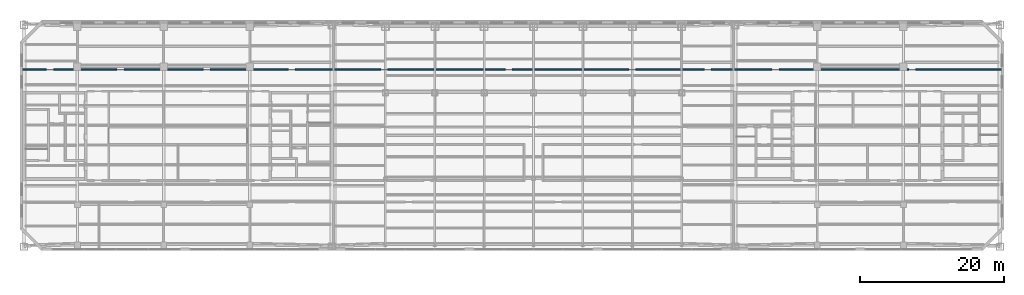
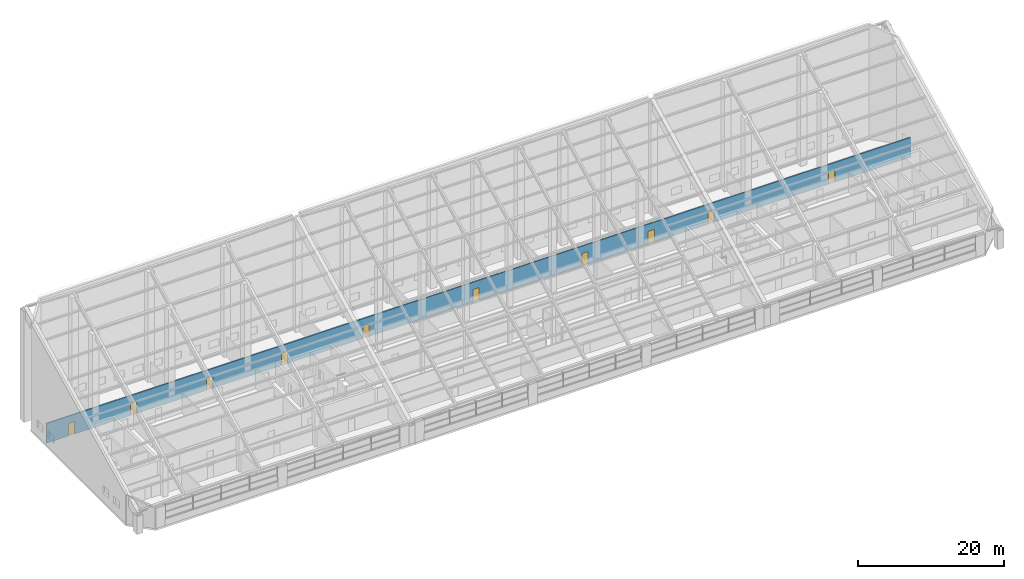
# One storey, part 24 of 28: 10 doors, 1 wall, 10 openings.
"""IFC4 building model written with IfcOpenShell, lengths in metres."""

from ifc_helpers import new_model, si_unit, direction, frame, frame_2d, origin, place, context, subcontext, project, spatial, rectangle, extrude, material, layer, layer_set, type_object, element, fill, save


model = new_model("IFC4")

# Units and contexts
model_context = context("Model", 3, precision=1e-05, world=origin(), true_north=direction((0.0, 1.0)))
body_context = subcontext(model_context, "Body", "Model", "MODEL_VIEW")
ifc_project = project(units=[si_unit("LENGTHUNIT", "METRE"), si_unit("AREAUNIT", "SQUARE_METRE"), si_unit("VOLUMEUNIT", "CUBIC_METRE"), si_unit("PLANEANGLEUNIT", "RADIAN"), si_unit("MASSUNIT", "GRAM", prefix="KILO")], contexts=[model_context])

# Site, building, storey
site_placement = place(None, origin())
site = spatial("IfcSite", under=ifc_project, at=site_placement, CompositionType="ELEMENT")
building_placement = place(site_placement, origin())
building = spatial("IfcBuilding", under=site, at=building_placement, Name="Tuart Gate Housing", CompositionType="ELEMENT")
storey_placement = place(building_placement, frame((0.0, 0.0, 243.89990234375)))
storey = spatial("IfcBuildingStorey", under=building, at=storey_placement, Name="L68", CompositionType="ELEMENT", Elevation=243.89990234375)

# Wall, openings, doors
ifc_material_1 = material(Name="Concrete masonry 15 MPa", Category="masonry")
ifc_layer = layer(ifc_material_1, 0.199951171875)
ifc_layer_set = layer_set([ifc_layer], Name="Enclosure wall masonry 200")
wall_type = type_object("IfcWallType", Name="Enclosure wall masonry 200", PredefinedType="PARTITIONING", material=ifc_layer_set)
wall_placement = place(storey_placement, frame((32.239990234375, 79.199951171875, 0.0), z_axis=(0.0, 0.0, 1.0), x_axis=(1.0, 0.0, 0.0)))
wall = element("IfcWall", 1, at=wall_placement, inside=storey, type_object=wall_type, Name="Enclosure wall masonry 200", PredefinedType="PARTITIONING", context=body_context, shape_type="SweptSolid", body=[
    extrude(rectangle(XDim=136.52001953125, YDim=0.199951171875, at=frame_2d((68.260009765625, 0.0))), origin(), (0.0, 0.0, 1.0), 3.300048828125),
])
opening_1_placement = place(wall_placement, frame((3.43994140625, 0.0, 0.0)))
opening_1 = element("IfcOpeningElement", 2, at=opening_1_placement, cuts=wall, Name="Opening D3265", PredefinedType="OPENING", context=body_context, shape_type="SweptSolid", body=[
    extrude(rectangle(XDim=1.0, YDim=2.10009765625, at=frame_2d((0.5, 1.050048828125))), frame((0.0, 0.10986328125, 0.0), z_axis=(0.0, -1.0, 0.0), x_axis=(1.0, 0.0, 0.0)), (0.0, 0.0, 1.0), 0.219970703125),
])
opening_2_placement = place(wall_placement, frame((13.260009765625, 0.0, 0.0)))
opening_2 = element("IfcOpeningElement", 3, at=opening_2_placement, cuts=wall, Name="Opening D3266", PredefinedType="OPENING", context=body_context, shape_type="SweptSolid", body=[
    extrude(rectangle(XDim=1.0, YDim=2.10009765625, at=frame_2d((0.5, 1.050048828125))), frame((0.0, 0.10986328125, 0.0), z_axis=(0.0, -1.0, 0.0), x_axis=(1.0, 0.0, 0.0)), (0.0, 0.0, 1.0), 0.219970703125),
])
opening_3_placement = place(wall_placement, frame((25.260009765625, 0.0, 0.0)))
opening_3 = element("IfcOpeningElement", 4, at=opening_3_placement, cuts=wall, Name="Opening D3267", PredefinedType="OPENING", context=body_context, shape_type="SweptSolid", body=[
    extrude(rectangle(XDim=1.0, YDim=2.10009765625, at=frame_2d((0.5, 1.050048828125))), frame((0.0, 0.10986328125, 0.0), z_axis=(0.0, -1.0, 0.0), x_axis=(1.0, 0.0, 0.0)), (0.0, 0.0, 1.0), 0.219970703125),
])
opening_4_placement = place(wall_placement, frame((37.080078125, 0.0, 0.0)))
opening_4 = element("IfcOpeningElement", 5, at=opening_4_placement, cuts=wall, Name="Opening D3268", PredefinedType="OPENING", context=body_context, shape_type="SweptSolid", body=[
    extrude(rectangle(XDim=1.0, YDim=2.10009765625, at=frame_2d((0.5, 1.050048828125))), frame((0.0, 0.10986328125, 0.0), z_axis=(0.0, -1.0, 0.0), x_axis=(1.0, 0.0, 0.0)), (0.0, 0.0, 1.0), 0.219970703125),
])
opening_5_placement = place(wall_placement, frame((49.955078125, 0.0, 0.0)))
opening_5 = element("IfcOpeningElement", 6, at=opening_5_placement, cuts=wall, Name="Opening D3269", PredefinedType="OPENING", context=body_context, shape_type="SweptSolid", body=[
    extrude(rectangle(XDim=1.0, YDim=2.10009765625, at=frame_2d((0.5, 1.050048828125))), frame((0.0, 0.10986328125, 0.0), z_axis=(0.0, -1.0, 0.0), x_axis=(1.0, 0.0, 0.0)), (0.0, 0.0, 1.0), 0.219970703125),
])
opening_6_placement = place(wall_placement, frame((67.322021484375, 0.0, 0.0)))
opening_6 = element("IfcOpeningElement", 7, at=opening_6_placement, cuts=wall, Name="Opening D3270", PredefinedType="OPENING", context=body_context, shape_type="SweptSolid", body=[
    extrude(rectangle(XDim=1.0, YDim=2.10009765625, at=frame_2d((0.5, 1.050048828125))), frame((0.0, 0.10986328125, 0.0), z_axis=(0.0, -1.0, 0.0), x_axis=(1.0, 0.0, 0.0)), (0.0, 0.0, 1.0), 0.219970703125),
])
opening_7_placement = place(wall_placement, frame((84.510009765625, 0.0, 0.0)))
opening_7 = element("IfcOpeningElement", 8, at=opening_7_placement, cuts=wall, Name="Opening D3271", PredefinedType="OPENING", context=body_context, shape_type="SweptSolid", body=[
    extrude(rectangle(XDim=1.0, YDim=2.10009765625, at=frame_2d((0.5, 1.050048828125))), frame((0.0, 0.10986328125, 0.0), z_axis=(0.0, -1.0, 0.0), x_axis=(1.0, 0.0, 0.0)), (0.0, 0.0, 1.0), 0.219970703125),
])
opening_8_placement = place(wall_placement, frame((95.0029296875, 0.0, 0.0)))
opening_8 = element("IfcOpeningElement", 9, at=opening_8_placement, cuts=wall, Name="Opening D3272", PredefinedType="OPENING", context=body_context, shape_type="SweptSolid", body=[
    extrude(rectangle(XDim=1.0, YDim=2.10009765625, at=frame_2d((0.5, 1.050048828125))), frame((0.0, 0.10986328125, 0.0), z_axis=(0.0, -1.0, 0.0), x_axis=(1.0, 0.0, 0.0)), (0.0, 0.0, 1.0), 0.219970703125),
])
opening_9_placement = place(wall_placement, frame((104.43994140625, 0.0, 0.0)))
opening_9 = element("IfcOpeningElement", 10, at=opening_9_placement, cuts=wall, Name="Opening D3273", PredefinedType="OPENING", context=body_context, shape_type="SweptSolid", body=[
    extrude(rectangle(XDim=1.0, YDim=2.10009765625, at=frame_2d((0.5, 1.050048828125))), frame((0.0, 0.10986328125, 0.0), z_axis=(0.0, -1.0, 0.0), x_axis=(1.0, 0.0, 0.0)), (0.0, 0.0, 1.0), 0.219970703125),
])
opening_10_placement = place(wall_placement, frame((123.47998046875, 0.0, 0.0)))
opening_10 = element("IfcOpeningElement", 11, at=opening_10_placement, cuts=wall, Name="Opening D3274", PredefinedType="OPENING", context=body_context, shape_type="SweptSolid", body=[
    extrude(rectangle(XDim=1.0, YDim=2.10009765625, at=frame_2d((0.5, 1.050048828125))), frame((0.0, 0.10986328125, 0.0), z_axis=(0.0, -1.0, 0.0), x_axis=(1.0, 0.0, 0.0)), (0.0, 0.0, 1.0), 0.219970703125),
])
ifc_material_2 = material(Name="Timber door leaf in steel frame", Category="steel")
door_type_1 = type_object("IfcDoorType", Name="Fire door 1000", OperationType="SINGLE_SWING_LEFT", PredefinedType="DOOR", material=ifc_material_2)
door_1_placement = place(opening_1_placement, origin())
door_1 = element("IfcDoor", 12, at=door_1_placement, inside=storey, type_object=door_type_1, Name="Fire door 1000", OperationType="SINGLE_SWING_LEFT", OverallHeight=2.10009765625, OverallWidth=1.0, PredefinedType="DOOR", context=body_context, shape_type="SweptSolid", body=[
    extrude(rectangle(XDim=1.0, YDim=2.10009765625, at=frame_2d((0.5, 1.050048828125))), frame((0.0, 0.02490234375, 0.0), z_axis=(0.0, -1.0, 0.0), x_axis=(1.0, 0.0, 0.0)), (0.0, 0.0, 1.0), 0.050048828125),
])
fill(opening_1, door_1)
door_2_placement = place(opening_2_placement, origin())
door_2 = element("IfcDoor", 13, at=door_2_placement, inside=storey, type_object=door_type_1, Name="Fire door 1000", OperationType="SINGLE_SWING_LEFT", OverallHeight=2.10009765625, OverallWidth=1.0, PredefinedType="DOOR", context=body_context, shape_type="SweptSolid", body=[
    extrude(rectangle(XDim=1.0, YDim=2.10009765625, at=frame_2d((0.5, 1.050048828125))), frame((0.0, 0.02490234375, 0.0), z_axis=(0.0, -1.0, 0.0), x_axis=(1.0, 0.0, 0.0)), (0.0, 0.0, 1.0), 0.050048828125),
])
fill(opening_2, door_2)
door_3_placement = place(opening_3_placement, origin())
door_3 = element("IfcDoor", 14, at=door_3_placement, inside=storey, type_object=door_type_1, Name="Fire door 1000", OperationType="SINGLE_SWING_LEFT", OverallHeight=2.10009765625, OverallWidth=1.0, PredefinedType="DOOR", context=body_context, shape_type="SweptSolid", body=[
    extrude(rectangle(XDim=1.0, YDim=2.10009765625, at=frame_2d((0.5, 1.050048828125))), frame((0.0, 0.02490234375, 0.0), z_axis=(0.0, -1.0, 0.0), x_axis=(1.0, 0.0, 0.0)), (0.0, 0.0, 1.0), 0.050048828125),
])
fill(opening_3, door_3)
door_4_placement = place(opening_4_placement, origin())
door_4 = element("IfcDoor", 15, at=door_4_placement, inside=storey, type_object=door_type_1, Name="Fire door 1000", OperationType="SINGLE_SWING_LEFT", OverallHeight=2.10009765625, OverallWidth=1.0, PredefinedType="DOOR", context=body_context, shape_type="SweptSolid", body=[
    extrude(rectangle(XDim=1.0, YDim=2.10009765625, at=frame_2d((0.5, 1.050048828125))), frame((0.0, 0.02490234375, 0.0), z_axis=(0.0, -1.0, 0.0), x_axis=(1.0, 0.0, 0.0)), (0.0, 0.0, 1.0), 0.050048828125),
])
fill(opening_4, door_4)
door_5_placement = place(opening_5_placement, origin())
door_5 = element("IfcDoor", 16, at=door_5_placement, inside=storey, type_object=door_type_1, Name="Fire door 1000", OperationType="SINGLE_SWING_LEFT", OverallHeight=2.10009765625, OverallWidth=1.0, PredefinedType="DOOR", context=body_context, shape_type="SweptSolid", body=[
    extrude(rectangle(XDim=1.0, YDim=2.10009765625, at=frame_2d((0.5, 1.050048828125))), frame((0.0, 0.02490234375, 0.0), z_axis=(0.0, -1.0, 0.0), x_axis=(1.0, 0.0, 0.0)), (0.0, 0.0, 1.0), 0.050048828125),
])
fill(opening_5, door_5)
door_6_placement = place(opening_6_placement, origin())
door_6 = element("IfcDoor", 17, at=door_6_placement, inside=storey, type_object=door_type_1, Name="Fire door 1000", OperationType="SINGLE_SWING_LEFT", OverallHeight=2.10009765625, OverallWidth=1.0, PredefinedType="DOOR", context=body_context, shape_type="SweptSolid", body=[
    extrude(rectangle(XDim=1.0, YDim=2.10009765625, at=frame_2d((0.5, 1.050048828125))), frame((0.0, 0.02490234375, 0.0), z_axis=(0.0, -1.0, 0.0), x_axis=(1.0, 0.0, 0.0)), (0.0, 0.0, 1.0), 0.050048828125),
])
fill(opening_6, door_6)
door_7_placement = place(opening_7_placement, origin())
door_7 = element("IfcDoor", 18, at=door_7_placement, inside=storey, type_object=door_type_1, Name="Fire door 1000", OperationType="SINGLE_SWING_LEFT", OverallHeight=2.10009765625, OverallWidth=1.0, PredefinedType="DOOR", context=body_context, shape_type="SweptSolid", body=[
    extrude(rectangle(XDim=1.0, YDim=2.10009765625, at=frame_2d((0.5, 1.050048828125))), frame((0.0, 0.02490234375, 0.0), z_axis=(0.0, -1.0, 0.0), x_axis=(1.0, 0.0, 0.0)), (0.0, 0.0, 1.0), 0.050048828125),
])
fill(opening_7, door_7)
door_8_placement = place(opening_9_placement, origin())
door_8 = element("IfcDoor", 19, at=door_8_placement, inside=storey, type_object=door_type_1, Name="Fire door 1000", OperationType="SINGLE_SWING_LEFT", OverallHeight=2.10009765625, OverallWidth=1.0, PredefinedType="DOOR", context=body_context, shape_type="SweptSolid", body=[
    extrude(rectangle(XDim=1.0, YDim=2.10009765625, at=frame_2d((0.5, 1.050048828125))), frame((0.0, 0.02490234375, 0.0), z_axis=(0.0, -1.0, 0.0), x_axis=(1.0, 0.0, 0.0)), (0.0, 0.0, 1.0), 0.050048828125),
])
fill(opening_9, door_8)
ifc_material_3 = material(Name="Timber door leaf in steel frame", Category="steel")
door_type_2 = type_object("IfcDoorType", Name="Fire door 1000 RH", OperationType="SINGLE_SWING_RIGHT", PredefinedType="DOOR", material=ifc_material_3)
door_9_placement = place(opening_8_placement, origin())
door_9 = element("IfcDoor", 20, at=door_9_placement, inside=storey, type_object=door_type_2, Name="Fire door 1000", OperationType="SINGLE_SWING_RIGHT", OverallHeight=2.10009765625, OverallWidth=1.0, PredefinedType="DOOR", context=body_context, shape_type="SweptSolid", body=[
    extrude(rectangle(XDim=1.0, YDim=2.10009765625, at=frame_2d((0.5, 1.050048828125))), frame((0.0, 0.02490234375, 0.0), z_axis=(0.0, -1.0, 0.0), x_axis=(1.0, 0.0, 0.0)), (0.0, 0.0, 1.0), 0.050048828125),
])
fill(opening_8, door_9)
door_10_placement = place(opening_10_placement, origin())
door_10 = element("IfcDoor", 21, at=door_10_placement, inside=storey, type_object=door_type_2, Name="Fire door 1000", OperationType="SINGLE_SWING_RIGHT", OverallHeight=2.10009765625, OverallWidth=1.0, PredefinedType="DOOR", context=body_context, shape_type="SweptSolid", body=[
    extrude(rectangle(XDim=1.0, YDim=2.10009765625, at=frame_2d((0.5, 1.050048828125))), frame((0.0, 0.02490234375, 0.0), z_axis=(0.0, -1.0, 0.0), x_axis=(1.0, 0.0, 0.0)), (0.0, 0.0, 1.0), 0.050048828125),
])
fill(opening_10, door_10)

save(model, "model.ifc")
